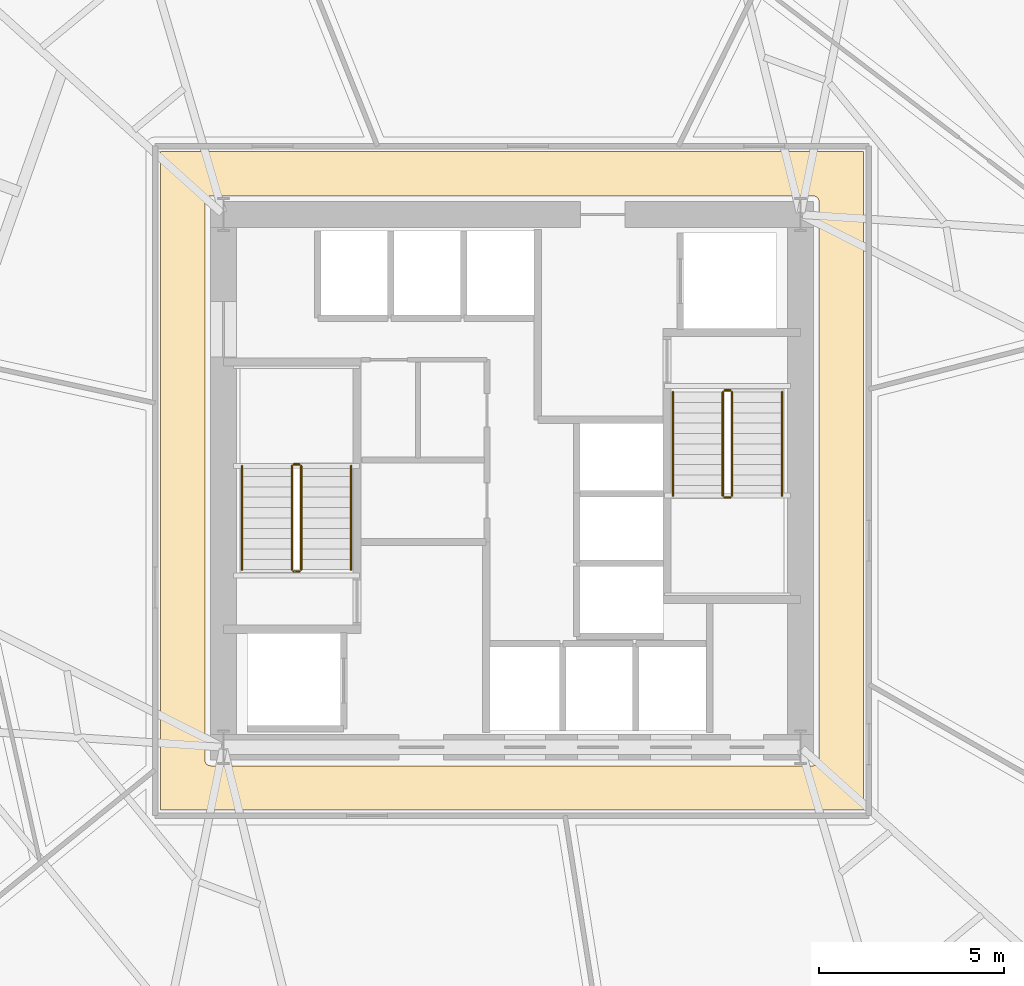
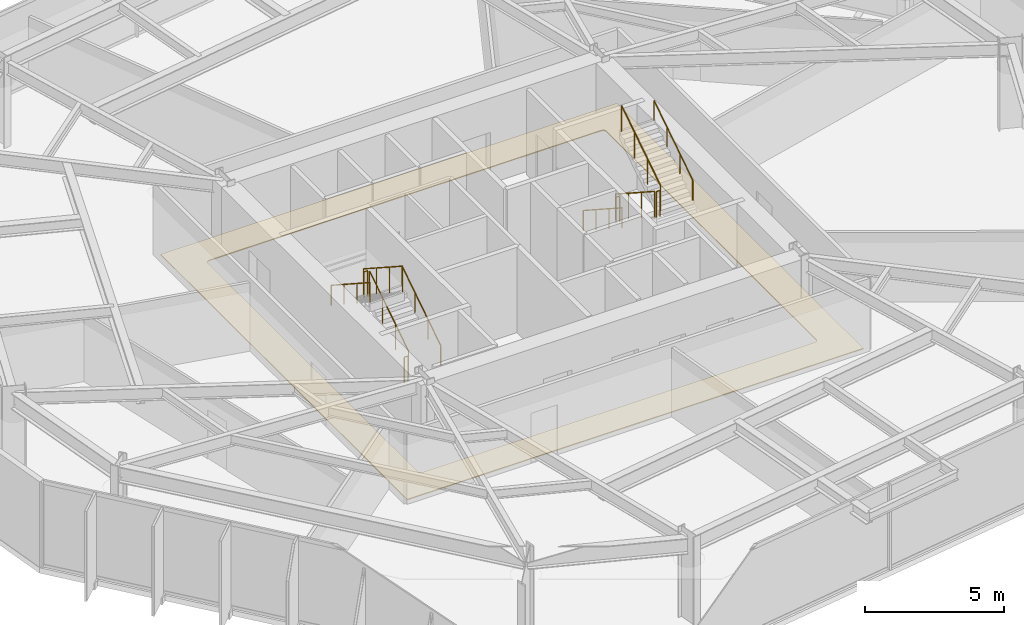
# One storey, part 10 of 11: 12 railings, 1 covering.
"""IFC4 building model written with IfcOpenShell, lengths in metres."""

from ifc_helpers import new_model, si_unit, direction, frame, origin, origin_2d, place, context, subcontext, project, spatial, polyline, circle, outline, extrude, material, layer, layer_set, type_object, element, save


model = new_model("IFC4")

# Units and contexts
model_context = context("Model", 3, precision=1e-05, world=origin(), true_north=direction((0.0, 1.0)))
body_context = subcontext(model_context, "Body", "Model", "MODEL_VIEW")
ifc_project = project(units=[si_unit("LENGTHUNIT", "METRE"), si_unit("AREAUNIT", "SQUARE_METRE"), si_unit("VOLUMEUNIT", "CUBIC_METRE"), si_unit("PLANEANGLEUNIT", "RADIAN"), si_unit("MASSUNIT", "GRAM", prefix="KILO")], contexts=[model_context])

# Site, building, storey
site_placement = place(None, origin())
site = spatial("IfcSite", under=ifc_project, at=site_placement, CompositionType="ELEMENT")
building_placement = place(site_placement, origin())
building = spatial("IfcBuilding", under=site, at=building_placement, Name="Kranzbogen Civic Tower", CompositionType="ELEMENT")
storey_placement = place(building_placement, frame((0.0, 0.0, 56.0)))
storey = spatial("IfcBuildingStorey", under=building, at=storey_placement, Name="L13", CompositionType="ELEMENT", Elevation=56.0)

# Covering
ifc_material_1 = material(Name="Honed Natural Stone Flooring", Category="masonry")
ifc_layer = layer(ifc_material_1, 0.0400390625, Name="Honed Natural Stone Flooring")
ifc_layer_set = layer_set([ifc_layer], Name="Honed Natural Stone Flooring")
covering_type = type_object("IfcCoveringType", Name="Honed Limestone Lobby Flooring 40 mm", PredefinedType="FLOORING", material=ifc_layer_set)
covering_placement = place(storey_placement, origin())
element("IfcCovering", 1, at=covering_placement, inside=storey, type_object=covering_type, Name="L13 concourse stone flooring 1", PredefinedType="FLOORING", context=body_context, shape_type="SweptSolid", body=[
    extrude(outline(polyline([(15.5, 33.89990234375), (34.5, 33.89990234375), (34.5, 16.10009765625), (15.5, 16.10009765625), (15.5, 33.89990234375)]), holes=[polyline([(33.14990234375, 32.699951171875), (33.1650390625, 32.698974609375), (33.178955078125, 32.697021484375), (33.194091796875, 32.694091796875), (33.20703125, 32.68896484375), (33.220947265625, 32.681884765625), (33.23291015625, 32.675048828125), (33.2451171875, 32.666015625), (33.256103515625, 32.656005859375), (33.26611328125, 32.64501953125), (33.27490234375, 32.633056640625), (33.281982421875, 32.62109375), (33.2890625, 32.60693359375), (33.2939453125, 32.593994140625), (33.297119140625, 32.5791015625), (33.299072265625, 32.56494140625), (33.300048828125, 32.550048828125), (33.300048828125, 17.449951171875), (33.299072265625, 17.43505859375), (33.297119140625, 17.4208984375), (33.2939453125, 17.406005859375), (33.2890625, 17.39306640625), (33.281982421875, 17.37890625), (33.27490234375, 17.366943359375), (33.26611328125, 17.35498046875), (33.256103515625, 17.343994140625), (33.2451171875, 17.333984375), (33.23291015625, 17.324951171875), (33.220947265625, 17.318115234375), (33.20703125, 17.31103515625), (33.194091796875, 17.305908203125), (33.178955078125, 17.302978515625), (33.1650390625, 17.301025390625), (33.14990234375, 17.300048828125), (16.85009765625, 17.300048828125), (16.8349609375, 17.301025390625), (16.821044921875, 17.302978515625), (16.805908203125, 17.305908203125), (16.79296875, 17.31103515625), (16.779052734375, 17.318115234375), (16.76708984375, 17.324951171875), (16.7548828125, 17.333984375), (16.743896484375, 17.343994140625), (16.73388671875, 17.35498046875), (16.72509765625, 17.366943359375), (16.718017578125, 17.37890625), (16.7109375, 17.39306640625), (16.7060546875, 17.406005859375), (16.702880859375, 17.4208984375), (16.700927734375, 17.43505859375), (16.699951171875, 17.449951171875), (16.699951171875, 32.550048828125), (16.700927734375, 32.56494140625), (16.702880859375, 32.5791015625), (16.7060546875, 32.593994140625), (16.7109375, 32.60693359375), (16.718017578125, 32.62109375), (16.72509765625, 32.633056640625), (16.73388671875, 32.64501953125), (16.743896484375, 32.656005859375), (16.7548828125, 32.666015625), (16.76708984375, 32.675048828125), (16.779052734375, 32.681884765625), (16.79296875, 32.68896484375), (16.805908203125, 32.694091796875), (16.821044921875, 32.697021484375), (16.8349609375, 32.698974609375), (16.85009765625, 32.699951171875), (33.14990234375, 32.699951171875)])]), origin(), (0.0, 0.0, 1.0), 0.0400390625),
])

# Railings
ifc_material_2 = material(Name="Steel S355", Category="steel")
railing_type_1 = type_object("IfcRailingType", Name="Internal Stair and Void Steel Guardrail 1150", PredefinedType="GUARDRAIL", material=ifc_material_2)
railing_1_placement = place(storey_placement, frame((19.300048828125, 22.60009765625, 0.181884765625)))
element("IfcRailing", 2, at=railing_1_placement, inside=storey, type_object=railing_type_1, Name="L13 ST-T1 stair guard 1", PredefinedType="GUARDRAIL", context=body_context, shape_type="SweptSolid", body=[
    extrude(circle(Radius=0.02392578125, at=origin_2d()), frame((0.0, 0.0, 1.1259765625), z_axis=(0.0, 0.83868413941, 0.544618136222), x_axis=(-1.0, 0.0, 0.0)), (0.0, 0.0, 1.0), 3.33837890625),
    extrude(circle(Radius=0.02099609375, at=origin_2d()), origin(), (0.0, 0.0, 1.0), 1.101806640625),
    extrude(circle(Radius=0.02099609375, at=origin_2d()), frame((0.0, 0.933349609375, 0.60595703125)), (0.0, 0.0, 1.0), 1.101806640625),
    extrude(circle(Radius=0.02099609375, at=origin_2d()), frame((0.0, 1.866455078125, 1.212158203125)), (0.0, 0.0, 1.0), 1.101806640625),
    extrude(circle(Radius=0.02099609375, at=origin_2d()), frame((0.0, 2.7998046875, 1.818115234375)), (0.0, 0.0, 1.0), 1.101806640625),
])
railing_2_placement = place(storey_placement, frame((19.25, 25.449951171875, 2.0)))
element("IfcRailing", 3, at=railing_2_placement, inside=storey, type_object=railing_type_1, Name="L13 ST-T1 stair guard 2", PredefinedType="GUARDRAIL", context=body_context, shape_type="SweptSolid", body=[
    extrude(circle(Radius=0.02392578125, at=origin_2d()), frame((0.0, 0.0, 1.1259765625), z_axis=(-1.0, 0.0, 0.0), x_axis=(0.0, -1.0, 0.0)), (0.0, 0.0, 1.0), 0.14990234375),
    extrude(circle(Radius=0.02099609375, at=origin_2d()), origin(), (0.0, 0.0, 1.0), 1.101806640625),
    extrude(circle(Radius=0.02099609375, at=origin_2d()), frame((-0.14990234375, 0.0, 0.0)), (0.0, 0.0, 1.0), 1.101806640625),
])
railing_3_placement = place(storey_placement, frame((19.050048828125, 25.39990234375, 2.181884765625)))
element("IfcRailing", 4, at=railing_3_placement, inside=storey, type_object=railing_type_1, Name="L13 ST-T1 stair guard 3", PredefinedType="GUARDRAIL", context=body_context, shape_type="SweptSolid", body=[
    extrude(circle(Radius=0.02392578125, at=origin_2d()), frame((0.0, 0.0, 1.1259765625), z_axis=(0.0, -0.83868413941, 0.544618136222), x_axis=(1.0, 0.0, 0.0)), (0.0, 0.0, 1.0), 3.33837890625),
    extrude(circle(Radius=0.02099609375, at=origin_2d()), origin(), (0.0, 0.0, 1.0), 1.101806640625),
    extrude(circle(Radius=0.02099609375, at=origin_2d()), frame((0.0, -0.933349609375, 0.60595703125)), (0.0, 0.0, 1.0), 1.101806640625),
    extrude(circle(Radius=0.02099609375, at=origin_2d()), frame((0.0, -1.866455078125, 1.212158203125)), (0.0, 0.0, 1.0), 1.101806640625),
    extrude(circle(Radius=0.02099609375, at=origin_2d()), frame((0.0, -2.7998046875, 1.818115234375)), (0.0, 0.0, 1.0), 1.101806640625),
])
railing_4_placement = place(storey_placement, frame((19.25, 22.550048828125, 0.0)))
element("IfcRailing", 5, at=railing_4_placement, inside=storey, type_object=railing_type_1, Name="L13 ST-T1 stair guard 4", PredefinedType="GUARDRAIL", context=body_context, shape_type="SweptSolid", body=[
    extrude(circle(Radius=0.02392578125, at=origin_2d()), frame((0.0, 0.0, 1.1259765625), z_axis=(-1.0, 0.0, 0.0), x_axis=(0.0, -1.0, 0.0)), (0.0, 0.0, 1.0), 0.14990234375),
    extrude(circle(Radius=0.02099609375, at=origin_2d()), origin(), (0.0, 0.0, 1.0), 1.101806640625),
    extrude(circle(Radius=0.02099609375, at=origin_2d()), frame((-0.14990234375, 0.0, 0.0)), (0.0, 0.0, 1.0), 1.101806640625),
])
railing_5_placement = place(storey_placement, frame((30.699951171875, 27.39990234375, 0.181884765625)))
element("IfcRailing", 6, at=railing_5_placement, inside=storey, type_object=railing_type_1, Name="L13 ST-T2 stair guard 1", PredefinedType="GUARDRAIL", context=body_context, shape_type="SweptSolid", body=[
    extrude(circle(Radius=0.02392578125, at=origin_2d()), frame((0.0, 0.0, 1.1259765625), z_axis=(0.0, -0.83868413941, 0.544618136222), x_axis=(1.0, 0.0, 0.0)), (0.0, 0.0, 1.0), 3.33837890625),
    extrude(circle(Radius=0.02099609375, at=origin_2d()), origin(), (0.0, 0.0, 1.0), 1.101806640625),
    extrude(circle(Radius=0.02099609375, at=origin_2d()), frame((0.0, -0.933349609375, 0.60595703125)), (0.0, 0.0, 1.0), 1.101806640625),
    extrude(circle(Radius=0.02099609375, at=origin_2d()), frame((0.0, -1.866455078125, 1.212158203125)), (0.0, 0.0, 1.0), 1.101806640625),
    extrude(circle(Radius=0.02099609375, at=origin_2d()), frame((0.0, -2.7998046875, 1.818115234375)), (0.0, 0.0, 1.0), 1.101806640625),
])
railing_6_placement = place(storey_placement, frame((30.75, 24.550048828125, 2.0)))
element("IfcRailing", 7, at=railing_6_placement, inside=storey, type_object=railing_type_1, Name="L13 ST-T2 stair guard 2", PredefinedType="GUARDRAIL", context=body_context, shape_type="SweptSolid", body=[
    extrude(circle(Radius=0.02392578125, at=origin_2d()), frame((0.0, 0.0, 1.1259765625), z_axis=(1.0, 0.0, 0.0), x_axis=(0.0, 1.0, 0.0)), (0.0, 0.0, 1.0), 0.14990234375),
    extrude(circle(Radius=0.02099609375, at=origin_2d()), origin(), (0.0, 0.0, 1.0), 1.101806640625),
    extrude(circle(Radius=0.02099609375, at=origin_2d()), frame((0.14990234375, 0.0, 0.0)), (0.0, 0.0, 1.0), 1.101806640625),
])
railing_7_placement = place(storey_placement, frame((30.949951171875, 24.60009765625, 2.181884765625)))
element("IfcRailing", 8, at=railing_7_placement, inside=storey, type_object=railing_type_1, Name="L13 ST-T2 stair guard 3", PredefinedType="GUARDRAIL", context=body_context, shape_type="SweptSolid", body=[
    extrude(circle(Radius=0.02392578125, at=origin_2d()), frame((0.0, 0.0, 1.1259765625), z_axis=(0.0, 0.83868413941, 0.544618136222), x_axis=(-1.0, 0.0, 0.0)), (0.0, 0.0, 1.0), 3.33837890625),
    extrude(circle(Radius=0.02099609375, at=origin_2d()), origin(), (0.0, 0.0, 1.0), 1.101806640625),
    extrude(circle(Radius=0.02099609375, at=origin_2d()), frame((0.0, 0.933349609375, 0.60595703125)), (0.0, 0.0, 1.0), 1.101806640625),
    extrude(circle(Radius=0.02099609375, at=origin_2d()), frame((0.0, 1.866455078125, 1.212158203125)), (0.0, 0.0, 1.0), 1.101806640625),
    extrude(circle(Radius=0.02099609375, at=origin_2d()), frame((0.0, 2.7998046875, 1.818115234375)), (0.0, 0.0, 1.0), 1.101806640625),
])
railing_8_placement = place(storey_placement, frame((30.75, 27.449951171875, 0.0)))
element("IfcRailing", 9, at=railing_8_placement, inside=storey, type_object=railing_type_1, Name="L13 ST-T2 stair guard 4", PredefinedType="GUARDRAIL", context=body_context, shape_type="SweptSolid", body=[
    extrude(circle(Radius=0.02392578125, at=origin_2d()), frame((0.0, 0.0, 1.1259765625), z_axis=(1.0, 0.0, 0.0), x_axis=(0.0, 1.0, 0.0)), (0.0, 0.0, 1.0), 0.14990234375),
    extrude(circle(Radius=0.02099609375, at=origin_2d()), origin(), (0.0, 0.0, 1.0), 1.101806640625),
    extrude(circle(Radius=0.02099609375, at=origin_2d()), frame((0.14990234375, 0.0, 0.0)), (0.0, 0.0, 1.0), 1.101806640625),
])
ifc_material_3 = material(Name="Pale Anodised Aluminium", Category="aluminium")
railing_type_2 = type_object("IfcRailingType", Name="Tubular Stainless Stair Wall Handrail 900", PredefinedType="HANDRAIL", material=ifc_material_3)
railing_9_placement = place(storey_placement, frame((20.64990234375, 22.60009765625, 0.181884765625)))
element("IfcRailing", 10, at=railing_9_placement, inside=storey, type_object=railing_type_2, Name="L13 ST-T1 stair handrail 1", PredefinedType="HANDRAIL", context=body_context, shape_type="SweptSolid", body=[
    extrude(circle(Radius=0.02392578125, at=origin_2d()), frame((0.0, 0.0, 0.8759765625), z_axis=(0.0, 0.83868413941, 0.544618136222), x_axis=(-1.0, 0.0, 0.0)), (0.0, 0.0, 1.0), 3.33837890625),
    extrude(circle(Radius=0.02099609375, at=origin_2d()), origin(), (0.0, 0.0, 1.0), 0.851806640625),
    extrude(circle(Radius=0.02099609375, at=origin_2d()), frame((0.0, 0.933349609375, 0.60595703125)), (0.0, 0.0, 1.0), 0.851806640625),
    extrude(circle(Radius=0.02099609375, at=origin_2d()), frame((0.0, 1.866455078125, 1.212158203125)), (0.0, 0.0, 1.0), 0.851806640625),
    extrude(circle(Radius=0.02099609375, at=origin_2d()), frame((0.0, 2.7998046875, 1.818115234375)), (0.0, 0.0, 1.0), 0.851806640625),
])
for number, where, name in (
    (11, (17.699951171875, 25.39990234375, 2.181884765625), "L13 ST-T1 stair handrail 2"),
    (12, (29.35009765625, 27.39990234375, 0.181884765625), "L13 ST-T2 stair handrail 1"),
):
    element("IfcRailing", number, at=place(storey_placement, frame(where)), inside=storey, type_object=railing_type_2, Name=name, PredefinedType="HANDRAIL", context=body_context, shape_type="SweptSolid", body=[
        extrude(circle(Radius=0.02392578125, at=origin_2d()), frame((0.0, 0.0, 0.8759765625), z_axis=(0.0, -0.83868413941, 0.544618136222), x_axis=(1.0, 0.0, 0.0)), (0.0, 0.0, 1.0), 3.33837890625),
        extrude(circle(Radius=0.02099609375, at=origin_2d()), origin(), (0.0, 0.0, 1.0), 0.851806640625),
        extrude(circle(Radius=0.02099609375, at=origin_2d()), frame((0.0, -0.933349609375, 0.60595703125)), (0.0, 0.0, 1.0), 0.851806640625),
        extrude(circle(Radius=0.02099609375, at=origin_2d()), frame((0.0, -1.866455078125, 1.212158203125)), (0.0, 0.0, 1.0), 0.851806640625),
        extrude(circle(Radius=0.02099609375, at=origin_2d()), frame((0.0, -2.7998046875, 1.818115234375)), (0.0, 0.0, 1.0), 0.851806640625),
    ])
railing_10_placement = place(storey_placement, frame((32.300048828125, 24.60009765625, 2.181884765625)))
element("IfcRailing", 13, at=railing_10_placement, inside=storey, type_object=railing_type_2, Name="L13 ST-T2 stair handrail 2", PredefinedType="HANDRAIL", context=body_context, shape_type="SweptSolid", body=[
    extrude(circle(Radius=0.02392578125, at=origin_2d()), frame((0.0, 0.0, 0.8759765625), z_axis=(0.0, 0.83868413941, 0.544618136222), x_axis=(-1.0, 0.0, 0.0)), (0.0, 0.0, 1.0), 3.33837890625),
    extrude(circle(Radius=0.02099609375, at=origin_2d()), origin(), (0.0, 0.0, 1.0), 0.851806640625),
    extrude(circle(Radius=0.02099609375, at=origin_2d()), frame((0.0, 0.933349609375, 0.60595703125)), (0.0, 0.0, 1.0), 0.851806640625),
    extrude(circle(Radius=0.02099609375, at=origin_2d()), frame((0.0, 1.866455078125, 1.212158203125)), (0.0, 0.0, 1.0), 0.851806640625),
    extrude(circle(Radius=0.02099609375, at=origin_2d()), frame((0.0, 2.7998046875, 1.818115234375)), (0.0, 0.0, 1.0), 0.851806640625),
])

save(model, "model.ifc")
